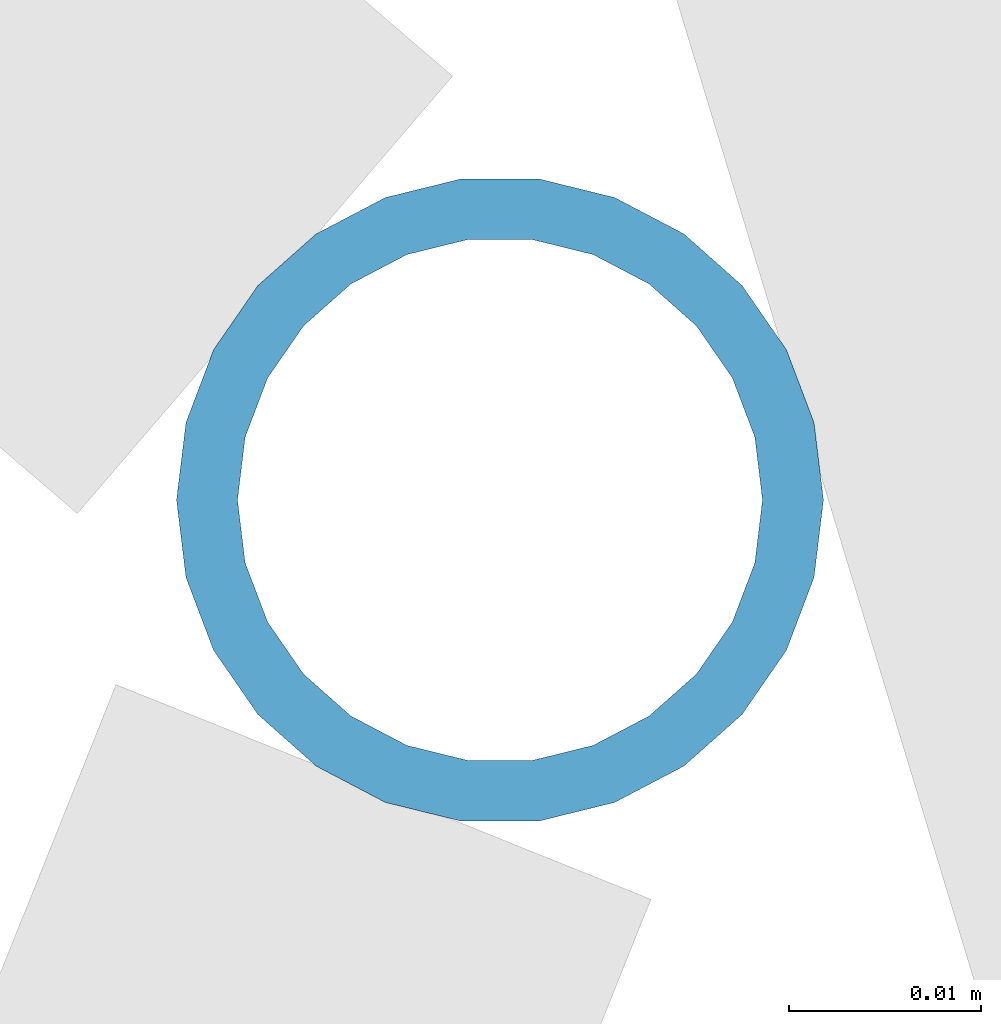
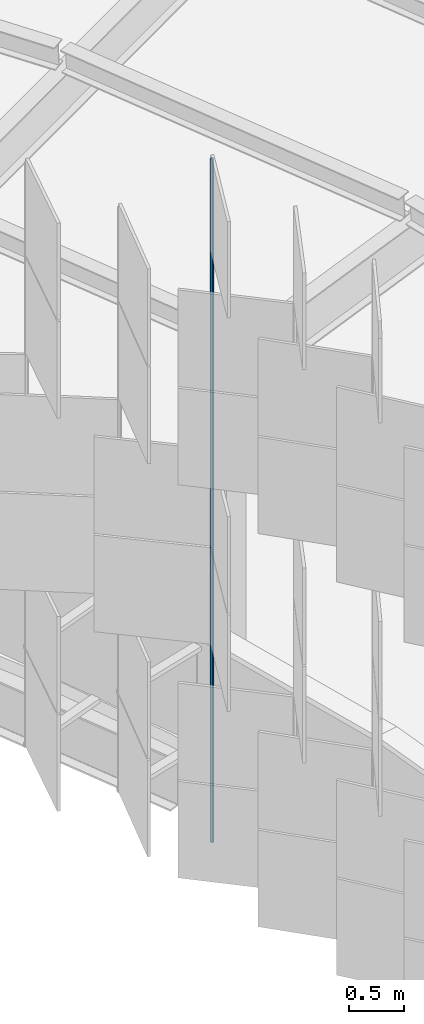
# One storey, part 208 of 483: 1 discrete accessory.
"""IFC4 building model written with IfcOpenShell, lengths in metres."""

from ifc_helpers import new_model, si_unit, direction, frame, origin, origin_2d, place, context, subcontext, project, spatial, hollow_circle, extrude, material, material_profile, profile_set, type_object, element, save


model = new_model("IFC4")

# Units and contexts
model_context = context("Model", 3, precision=1e-05, world=origin(), true_north=direction((0.0, 1.0)))
body_context = subcontext(model_context, "Body", "Model", "MODEL_VIEW")
ifc_project = project(units=[si_unit("LENGTHUNIT", "METRE"), si_unit("AREAUNIT", "SQUARE_METRE"), si_unit("VOLUMEUNIT", "CUBIC_METRE"), si_unit("PLANEANGLEUNIT", "RADIAN"), si_unit("MASSUNIT", "GRAM", prefix="KILO")], contexts=[model_context])

# Site, building, storey
site_placement = place(None, origin())
site = spatial("IfcSite", under=ifc_project, at=site_placement, CompositionType="ELEMENT")
building_placement = place(site_placement, origin())
building = spatial("IfcBuilding", under=site, at=building_placement, Name="Parallax Yard Mobility Hub", CompositionType="ELEMENT")
storey_placement = place(building_placement, frame((0.0, 0.0, 13.199951171875)))
storey = spatial("IfcBuildingStorey", under=building, at=storey_placement, Name="L04", CompositionType="ELEMENT", Elevation=13.199951171875)

# Discrete accessory
ifc_material = material(Name="Steel ASTM A500 Gr C, hot-dip galvanised", Category="steel")
ifc_material_profile = material_profile(ifc_material, hollow_circle(Radius=0.016845703125, WallThickness=0.003173828125, at=origin_2d()), Name="CHS 33.7x3.2")
ifc_profile_set = profile_set([ifc_material_profile], Name="Steel ASTM A500 Gr C, hot-dip galvanised")
discrete_accessory_type = type_object("IfcDiscreteAccessoryType", Name="Hinge post CHS 33.7x3.2", PredefinedType="BRACKET", material=ifc_profile_set)
discrete_accessory_placement = place(storey_placement, frame((193.2734375, 95.542724609375, 0.0), z_axis=(0.0, 0.0, 1.0), x_axis=(1.0, 0.0, 0.0)))
element("IfcDiscreteAccessory", 1, at=discrete_accessory_placement, inside=storey, type_object=discrete_accessory_type, Name="Hinge post bay 22.2 level L04", PredefinedType="BRACKET", context=body_context, shape_type="SweptSolid", body=[
    extrude(hollow_circle(Radius=0.016845703125, WallThickness=0.003173828125, at=origin_2d()), origin(), (0.0, 0.0, 1.0), 7.650146484375),
])

save(model, "model.ifc")
